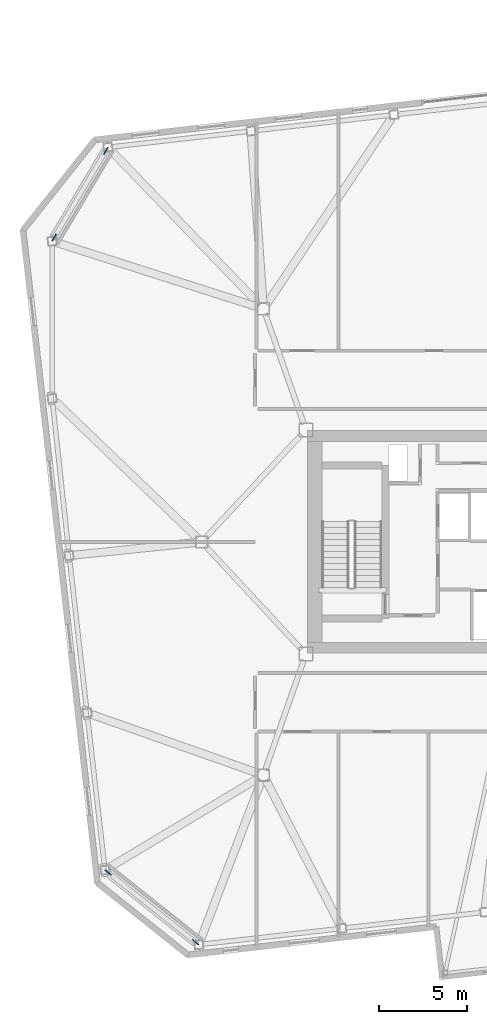
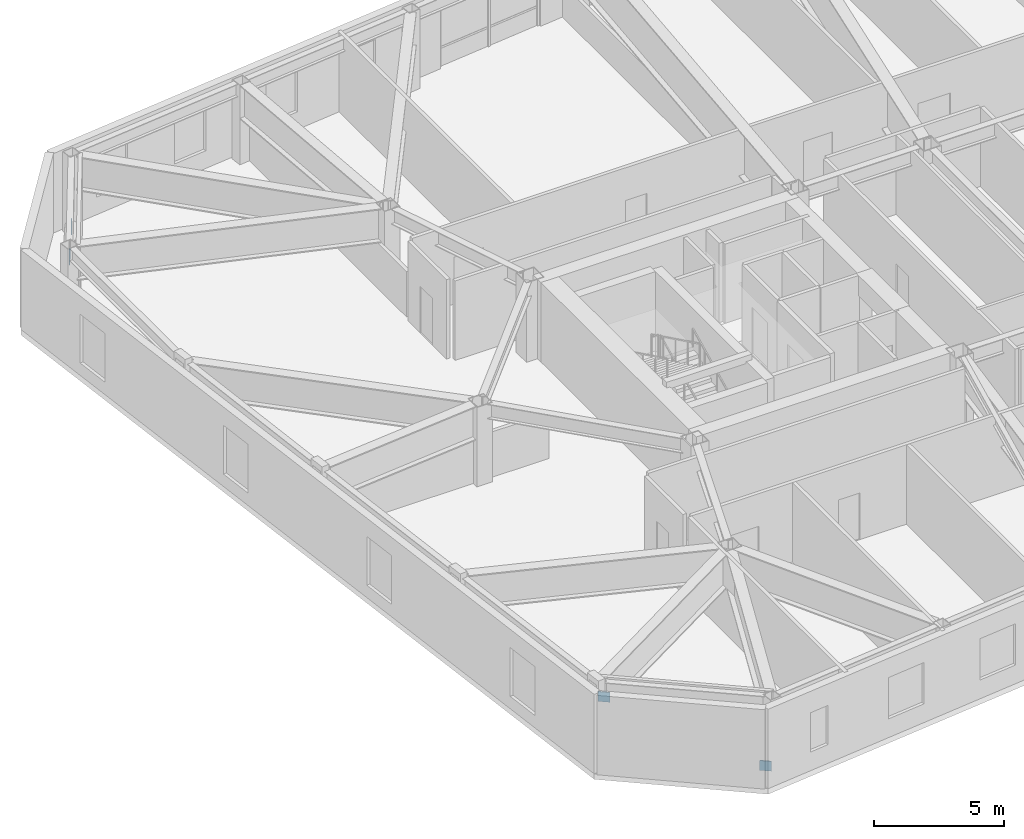
# One storey, part 16 of 18: 4 discrete accessories.
"""IFC4 building model written with IfcOpenShell, lengths in metres."""

from ifc_helpers import new_model, si_unit, direction, frame, origin, origin_2d, place, context, subcontext, project, spatial, rectangle, extrude, material, type_object, element, save


model = new_model("IFC4")

# Units and contexts
model_context = context("Model", 3, precision=1e-05, world=origin(), true_north=direction((0.0, 1.0)))
body_context = subcontext(model_context, "Body", "Model", "MODEL_VIEW")
ifc_project = project(units=[si_unit("LENGTHUNIT", "METRE"), si_unit("AREAUNIT", "SQUARE_METRE"), si_unit("VOLUMEUNIT", "CUBIC_METRE"), si_unit("PLANEANGLEUNIT", "RADIAN"), si_unit("MASSUNIT", "GRAM", prefix="KILO")], contexts=[model_context])

# Site, building, storey
site_placement = place(None, origin())
site = spatial("IfcSite", under=ifc_project, at=site_placement, CompositionType="ELEMENT")
building_placement = place(site_placement, origin())
building = spatial("IfcBuilding", under=site, at=building_placement, Name="Tavrogorsk Clinical Tower", CompositionType="ELEMENT")
storey_placement = place(building_placement, frame((0.0, 0.0, 226.199951171875)))
storey = spatial("IfcBuildingStorey", under=building, at=storey_placement, Name="L52", CompositionType="ELEMENT", Elevation=226.199951171875)

# Discrete accessories
ifc_material = material(Name="Structural steel S440", Category="steel")
discrete_accessory_type = type_object("IfcDiscreteAccessoryType", Name="GussetPlateBracket_25", PredefinedType="BRACKET", material=ifc_material)
for number, where, z_axis, x_axis, name in (
    (1, (-33.428955078125, 22.143310546875, 0.17626953125), (0.0, 0.0, 1.0), (-0.511443073004, -0.859317160934, 0.0), "L52 Brace Gusset Plate EXOCRN-L52-3-A"),
    (2, (-36.349853515625, 17.23486328125, 2.75390625), (0.0, 0.0, 1.0), (-0.511443073004, -0.859317160934, 0.0), "L52 Brace Gusset Plate EXOCRN-L52-3-B"),
    (3, (-28.3515625, -22.654052734375, 0.168212890625), (0.0, 0.0, 1.0), (-0.782608156852, 0.622514636638, 0.0), "L52 Brace Gusset Plate EXOCRN-L52-4-A"),
    (4, (-33.29052734375, -18.725341796875, 2.761962890625), (0.0, 0.0, 1.0), (-0.782608156852, 0.622514636638, 0.0), "L52 Brace Gusset Plate EXOCRN-L52-4-B"),
):
    element("IfcDiscreteAccessory", number, at=place(storey_placement, frame(where, z_axis=z_axis, x_axis=x_axis)), inside=storey, type_object=discrete_accessory_type, Name=name, PredefinedType="BRACKET", context=body_context, shape_type="SweptSolid", body=[
        extrude(rectangle(XDim=0.4599609375, YDim=0.0400390625, at=origin_2d()), origin(), (0.0, 0.0, 1.0), 0.4599609375),
    ])

save(model, "model.ifc")
